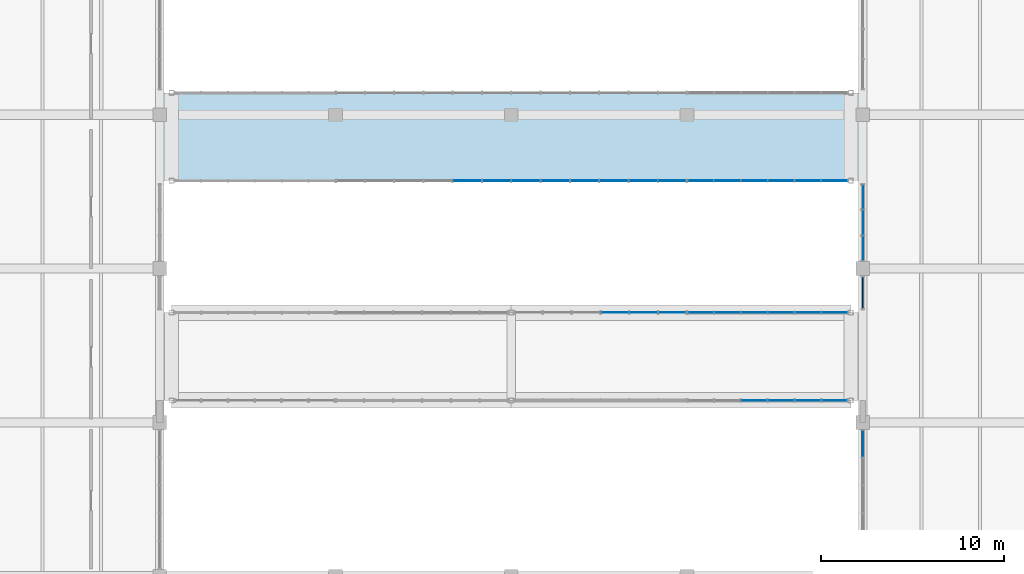
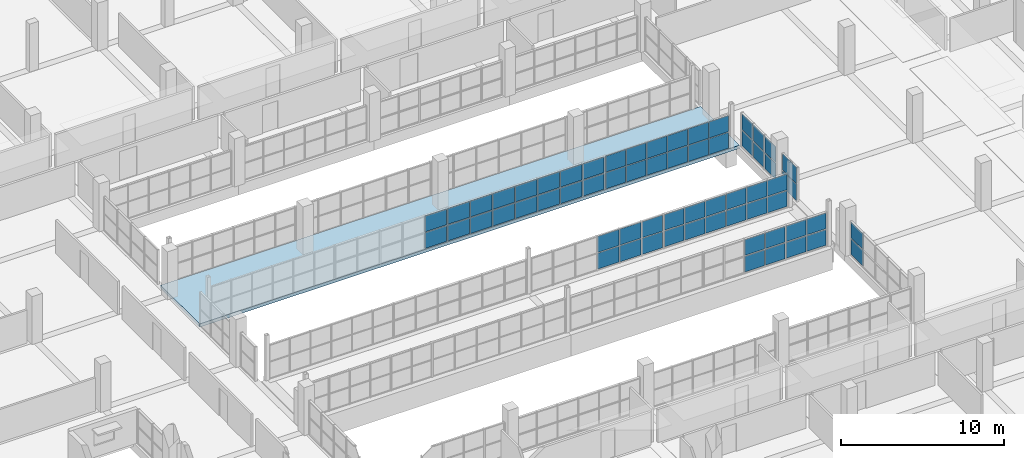
# One storey, part 102 of 147: 64 plates, 1 slab, 8 elements without a shape of their own.
"""IFC4 building model written with IfcOpenShell, lengths in metres."""

from ifc_helpers import new_model, si_unit, direction, frame, origin, origin_2d, place, context, subcontext, project, spatial, polyline, rectangle, outline, extrude, material, layer, layer_set, type_object, element, aggregate, save


model = new_model("IFC4")

# Units and contexts
model_context = context("Model", 3, precision=1e-05, world=origin(), true_north=direction((0.0, 1.0)))
body_context = subcontext(model_context, "Body", "Model", "MODEL_VIEW")
ifc_project = project(units=[si_unit("LENGTHUNIT", "METRE"), si_unit("AREAUNIT", "SQUARE_METRE"), si_unit("VOLUMEUNIT", "CUBIC_METRE"), si_unit("PLANEANGLEUNIT", "RADIAN"), si_unit("MASSUNIT", "GRAM", prefix="KILO")], contexts=[model_context])

# Site, building, storey
site_placement = place(None, origin())
site = spatial("IfcSite", under=ifc_project, at=site_placement, CompositionType="ELEMENT")
building_placement = place(site_placement, origin())
building = spatial("IfcBuilding", under=site, at=building_placement, Name="Oolite Switchyard Hospital", CompositionType="ELEMENT")
storey_placement = place(building_placement, frame((0.0, 0.0, 9.89990234375)))
storey = spatial("IfcBuildingStorey", under=building, at=storey_placement, Name="L02", CompositionType="ELEMENT", Elevation=9.89990234375)

# Curtain wall, plates
ifc_material_1 = material(Name="Thermally broken aluminum frame with laminated impact glazing", Category="aluminium")
curtain_wall_type_1 = type_object("IfcCurtainWallType", Name="CW-BRG-96X38", PredefinedType="USERDEFINED", material=ifc_material_1)
curtain_wall_1_placement = place(storey_placement, origin())
curtain_wall_1 = element("IfcCurtainWall", 1, at=curtain_wall_1_placement, inside=storey, type_object=curtain_wall_type_1, Name="L02 Unitised Curtain Wall 308", ObjectType="UNITISED", PredefinedType="USERDEFINED")
ifc_material_2 = material(Name="Insulated fluoropolymer-coated aluminum spandrel panel", Category="aluminium")
ifc_layer_1 = layer(ifc_material_2, 0.070068359375)
ifc_layer_set_1 = layer_set([ifc_layer_1], Name="CW-PNL-SPN70")
plate_type_1 = type_object("IfcPlateType", Name="CW-PNL-SPN70", PredefinedType="CURTAIN_PANEL", material=ifc_layer_set_1)
plate_1_placement = place(storey_placement, frame((182.39990234375, 40.68505859375, 0.06005859375), z_axis=(0.0, 0.0, 1.0), x_axis=(0.0, 1.0, 0.0)))
plate_1 = element("IfcPlate", 2, at=plate_1_placement, type_object=plate_type_1, Name="CW-12 panel 1.1", PredefinedType="CURTAIN_PANEL", context=body_context, shape_type="SweptSolid", body=[
    extrude(rectangle(XDim=1.7099609375, YDim=0.070068359375, at=origin_2d()), origin(), (0.0, 0.0, 1.0), 1.195068359375),
])
plate_2_placement = place(storey_placement, frame((182.39990234375, 40.68505859375, 1.31494140625), z_axis=(0.0, 0.0, 1.0), x_axis=(0.0, 1.0, 0.0)))
plate_2 = element("IfcPlate", 3, at=plate_2_placement, type_object=plate_type_1, Name="CW-12 panel 1.2", PredefinedType="CURTAIN_PANEL", context=body_context, shape_type="SweptSolid", body=[
    extrude(rectangle(XDim=1.7099609375, YDim=0.070068359375, at=origin_2d()), origin(), (0.0, 0.0, 1.0), 1.195068359375),
])
aggregate(curtain_wall_1, [plate_1, plate_2])

curtain_wall_2_placement = place(storey_placement, origin())
curtain_wall_2 = element("IfcCurtainWall", 4, at=curtain_wall_2_placement, inside=storey, type_object=curtain_wall_type_1, Name="L02 Unitised Curtain Wall 309", ObjectType="UNITISED", PredefinedType="USERDEFINED")
ifc_material_3 = material(Name="Laminated hurricane-impact insulated glazing unit", Category="glass")
ifc_layer_2 = layer(ifc_material_3, 0.028076171875)
ifc_layer_set_2 = layer_set([ifc_layer_2], Name="CW-PNL-VIS28")
plate_type_2 = type_object("IfcPlateType", Name="CW-PNL-VIS28", PredefinedType="CURTAIN_PANEL", material=ifc_layer_set_2)
plate_3_placement = place(storey_placement, frame((182.39990234375, 43.1171875, 0.0751953125), z_axis=(0.0, 0.0, 1.0), x_axis=(0.0, 1.0, 0.0)))
plate_3 = element("IfcPlate", 5, at=plate_3_placement, type_object=plate_type_2, Name="CW-12 panel 1.1", PredefinedType="CURTAIN_PANEL", context=body_context, shape_type="SweptSolid", body=[
    extrude(rectangle(XDim=1.30419921875, YDim=0.028076171875, at=origin_2d()), origin(), (0.0, 0.0, 1.0), 1.172607421875),
])
plate_4_placement = place(storey_placement, frame((182.39990234375, 43.1171875, 1.32275390625), z_axis=(0.0, 0.0, 1.0), x_axis=(0.0, 1.0, 0.0)))
plate_4 = element("IfcPlate", 6, at=plate_4_placement, type_object=plate_type_2, Name="CW-12 panel 1.2", PredefinedType="CURTAIN_PANEL", context=body_context, shape_type="SweptSolid", body=[
    extrude(rectangle(XDim=1.30419921875, YDim=0.028076171875, at=origin_2d()), origin(), (0.0, 0.0, 1.0), 1.172607421875),
])
plate_5_placement = place(storey_placement, frame((182.39990234375, 44.514892578125, 0.0751953125), z_axis=(0.0, 0.0, 1.0), x_axis=(0.0, 1.0, 0.0)))
plate_5 = element("IfcPlate", 7, at=plate_5_placement, type_object=plate_type_2, Name="CW-12 panel 2.1", PredefinedType="CURTAIN_PANEL", context=body_context, shape_type="SweptSolid", body=[
    extrude(rectangle(XDim=1.341552734375, YDim=0.028076171875, at=origin_2d()), origin(), (0.0, 0.0, 1.0), 1.172607421875),
])
plate_6_placement = place(storey_placement, frame((182.39990234375, 44.514892578125, 1.32275390625), z_axis=(0.0, 0.0, 1.0), x_axis=(0.0, 1.0, 0.0)))
plate_6 = element("IfcPlate", 8, at=plate_6_placement, type_object=plate_type_2, Name="CW-12 panel 2.2", PredefinedType="CURTAIN_PANEL", context=body_context, shape_type="SweptSolid", body=[
    extrude(rectangle(XDim=1.341552734375, YDim=0.028076171875, at=origin_2d()), origin(), (0.0, 0.0, 1.0), 1.172607421875),
])
plate_7_placement = place(storey_placement, frame((182.39990234375, 45.912841796875, 0.0751953125), z_axis=(0.0, 0.0, 1.0), x_axis=(0.0, 1.0, 0.0)))
plate_7 = element("IfcPlate", 9, at=plate_7_placement, type_object=plate_type_2, Name="CW-12 panel 3.1", PredefinedType="CURTAIN_PANEL", context=body_context, shape_type="SweptSolid", body=[
    extrude(rectangle(XDim=1.30419921875, YDim=0.028076171875, at=origin_2d()), origin(), (0.0, 0.0, 1.0), 1.172607421875),
])
plate_8_placement = place(storey_placement, frame((182.39990234375, 45.912841796875, 1.32275390625), z_axis=(0.0, 0.0, 1.0), x_axis=(0.0, 1.0, 0.0)))
plate_8 = element("IfcPlate", 10, at=plate_8_placement, type_object=plate_type_2, Name="CW-12 panel 3.2", PredefinedType="CURTAIN_PANEL", context=body_context, shape_type="SweptSolid", body=[
    extrude(rectangle(XDim=1.30419921875, YDim=0.028076171875, at=origin_2d()), origin(), (0.0, 0.0, 1.0), 1.172607421875),
])
aggregate(curtain_wall_2, [plate_3, plate_4, plate_5, plate_6, plate_7, plate_8])

curtain_wall_3_placement = place(storey_placement, origin())
curtain_wall_3 = element("IfcCurtainWall", 11, at=curtain_wall_3_placement, inside=storey, type_object=curtain_wall_type_1, Name="L02 Unitised Curtain Wall 231", ObjectType="UNITISED", PredefinedType="USERDEFINED")
ifc_layer_3 = layer(ifc_material_3, 0.031982421875)
ifc_layer_set_3 = layer_set([ifc_layer_3], Name="CW-PNL-VIS32")
plate_type_3 = type_object("IfcPlateType", Name="CW-PNL-VIS32", PredefinedType="CURTAIN_PANEL", material=ifc_layer_set_3)
plate_9_placement = place(storey_placement, frame((180.855224609375, 34.800048828125, 0.0751953125), z_axis=(0.0, 0.0, 1.0), x_axis=(-1.0, 0.0, 0.0)))
plate_9 = element("IfcPlate", 12, at=plate_9_placement, type_object=plate_type_3, Name="CW-12 panel 1.1", PredefinedType="CURTAIN_PANEL", context=body_context, shape_type="SweptSolid", body=[
    extrude(rectangle(XDim=1.35546875, YDim=0.031982421875, at=origin_2d()), origin(), (0.0, 0.0, 1.0), 1.172607421875),
])
plate_10_placement = place(storey_placement, frame((180.855224609375, 34.800048828125, 1.32275390625), z_axis=(0.0, 0.0, 1.0), x_axis=(-1.0, 0.0, 0.0)))
plate_10 = element("IfcPlate", 13, at=plate_10_placement, type_object=plate_type_3, Name="CW-12 panel 1.2", PredefinedType="CURTAIN_PANEL", context=body_context, shape_type="SweptSolid", body=[
    extrude(rectangle(XDim=1.35546875, YDim=0.031982421875, at=origin_2d()), origin(), (0.0, 0.0, 1.0), 1.172607421875),
])
plate_11_placement = place(storey_placement, frame((179.406005859375, 34.800048828125, 0.0751953125), z_axis=(0.0, 0.0, 1.0), x_axis=(-1.0, 0.0, 0.0)))
plate_11 = element("IfcPlate", 14, at=plate_11_placement, type_object=plate_type_3, Name="CW-12 panel 2.1", PredefinedType="CURTAIN_PANEL", context=body_context, shape_type="SweptSolid", body=[
    extrude(rectangle(XDim=1.39306640625, YDim=0.031982421875, at=origin_2d()), origin(), (0.0, 0.0, 1.0), 1.172607421875),
])
plate_12_placement = place(storey_placement, frame((179.406005859375, 34.800048828125, 1.32275390625), z_axis=(0.0, 0.0, 1.0), x_axis=(-1.0, 0.0, 0.0)))
plate_12 = element("IfcPlate", 15, at=plate_12_placement, type_object=plate_type_3, Name="CW-12 panel 2.2", PredefinedType="CURTAIN_PANEL", context=body_context, shape_type="SweptSolid", body=[
    extrude(rectangle(XDim=1.39306640625, YDim=0.031982421875, at=origin_2d()), origin(), (0.0, 0.0, 1.0), 1.172607421875),
])
plate_13_placement = place(storey_placement, frame((177.93798828125, 34.800048828125, 0.0751953125), z_axis=(0.0, 0.0, 1.0), x_axis=(-1.0, 0.0, 0.0)))
plate_13 = element("IfcPlate", 16, at=plate_13_placement, type_object=plate_type_3, Name="CW-12 panel 3.1", PredefinedType="CURTAIN_PANEL", context=body_context, shape_type="SweptSolid", body=[
    extrude(rectangle(XDim=1.39306640625, YDim=0.031982421875, at=origin_2d()), origin(), (0.0, 0.0, 1.0), 1.172607421875),
])
plate_14_placement = place(storey_placement, frame((177.93798828125, 34.800048828125, 1.32275390625), z_axis=(0.0, 0.0, 1.0), x_axis=(-1.0, 0.0, 0.0)))
plate_14 = element("IfcPlate", 17, at=plate_14_placement, type_object=plate_type_3, Name="CW-12 panel 3.2", PredefinedType="CURTAIN_PANEL", context=body_context, shape_type="SweptSolid", body=[
    extrude(rectangle(XDim=1.39306640625, YDim=0.031982421875, at=origin_2d()), origin(), (0.0, 0.0, 1.0), 1.172607421875),
])
plate_15_placement = place(storey_placement, frame((176.469970703125, 34.800048828125, 0.0751953125), z_axis=(0.0, 0.0, 1.0), x_axis=(-1.0, 0.0, 0.0)))
plate_15 = element("IfcPlate", 18, at=plate_15_placement, type_object=plate_type_3, Name="CW-12 panel 4.1", PredefinedType="CURTAIN_PANEL", context=body_context, shape_type="SweptSolid", body=[
    extrude(rectangle(XDim=1.39306640625, YDim=0.031982421875, at=origin_2d()), origin(), (0.0, 0.0, 1.0), 1.172607421875),
])
plate_16_placement = place(storey_placement, frame((176.469970703125, 34.800048828125, 1.32275390625), z_axis=(0.0, 0.0, 1.0), x_axis=(-1.0, 0.0, 0.0)))
plate_16 = element("IfcPlate", 19, at=plate_16_placement, type_object=plate_type_3, Name="CW-12 panel 4.2", PredefinedType="CURTAIN_PANEL", context=body_context, shape_type="SweptSolid", body=[
    extrude(rectangle(XDim=1.39306640625, YDim=0.031982421875, at=origin_2d()), origin(), (0.0, 0.0, 1.0), 1.172607421875),
])
aggregate(curtain_wall_3, [plate_9, plate_10, plate_11, plate_12, plate_13, plate_14, plate_15, plate_16])

curtain_wall_4_placement = place(storey_placement, origin())
curtain_wall_4 = element("IfcCurtainWall", 20, at=curtain_wall_4_placement, inside=storey, type_object=curtain_wall_type_1, Name="L02 Unitised Curtain Wall 234", ObjectType="UNITISED", PredefinedType="USERDEFINED")
plate_17_placement = place(storey_placement, frame((168.859130859375, 39.60009765625, 0.06005859375), z_axis=(0.0, 0.0, 1.0), x_axis=(1.0, 0.0, 0.0)))
plate_17 = element("IfcPlate", 21, at=plate_17_placement, type_object=plate_type_3, Name="CW-12 panel 4.1", PredefinedType="CURTAIN_PANEL", context=body_context, shape_type="SweptSolid", body=[
    extrude(rectangle(XDim=1.501220703125, YDim=0.031982421875, at=origin_2d()), origin(), (0.0, 0.0, 1.0), 1.195068359375),
])
plate_18_placement = place(storey_placement, frame((168.859130859375, 39.60009765625, 1.31494140625), z_axis=(0.0, 0.0, 1.0), x_axis=(1.0, 0.0, 0.0)))
plate_18 = element("IfcPlate", 22, at=plate_18_placement, type_object=plate_type_3, Name="CW-12 panel 4.2", PredefinedType="CURTAIN_PANEL", context=body_context, shape_type="SweptSolid", body=[
    extrude(rectangle(XDim=1.501220703125, YDim=0.031982421875, at=origin_2d()), origin(), (0.0, 0.0, 1.0), 1.195068359375),
])
plate_19_placement = place(storey_placement, frame((170.435546875, 39.60009765625, 0.06005859375), z_axis=(0.0, 0.0, 1.0), x_axis=(1.0, 0.0, 0.0)))
plate_19 = element("IfcPlate", 23, at=plate_19_placement, type_object=plate_type_3, Name="CW-12 panel 5.1", PredefinedType="CURTAIN_PANEL", context=body_context, shape_type="SweptSolid", body=[
    extrude(rectangle(XDim=1.501220703125, YDim=0.031982421875, at=origin_2d()), origin(), (0.0, 0.0, 1.0), 1.195068359375),
])
plate_20_placement = place(storey_placement, frame((170.435546875, 39.60009765625, 1.31494140625), z_axis=(0.0, 0.0, 1.0), x_axis=(1.0, 0.0, 0.0)))
plate_20 = element("IfcPlate", 24, at=plate_20_placement, type_object=plate_type_3, Name="CW-12 panel 5.2", PredefinedType="CURTAIN_PANEL", context=body_context, shape_type="SweptSolid", body=[
    extrude(rectangle(XDim=1.501220703125, YDim=0.031982421875, at=origin_2d()), origin(), (0.0, 0.0, 1.0), 1.195068359375),
])
plate_21_placement = place(storey_placement, frame((171.9931640625, 39.60009765625, 0.06005859375), z_axis=(0.0, 0.0, 1.0), x_axis=(1.0, 0.0, 0.0)))
plate_21 = element("IfcPlate", 25, at=plate_21_placement, type_object=plate_type_3, Name="CW-12 panel 6.1", PredefinedType="CURTAIN_PANEL", context=body_context, shape_type="SweptSolid", body=[
    extrude(rectangle(XDim=1.4638671875, YDim=0.031982421875, at=origin_2d()), origin(), (0.0, 0.0, 1.0), 1.195068359375),
])
plate_22_placement = place(storey_placement, frame((171.9931640625, 39.60009765625, 1.31494140625), z_axis=(0.0, 0.0, 1.0), x_axis=(1.0, 0.0, 0.0)))
plate_22 = element("IfcPlate", 26, at=plate_22_placement, type_object=plate_type_3, Name="CW-12 panel 6.2", PredefinedType="CURTAIN_PANEL", context=body_context, shape_type="SweptSolid", body=[
    extrude(rectangle(XDim=1.4638671875, YDim=0.031982421875, at=origin_2d()), origin(), (0.0, 0.0, 1.0), 1.195068359375),
])
aggregate(curtain_wall_4, [plate_17, plate_18, plate_19, plate_20, plate_21, plate_22])

curtain_wall_5_placement = place(storey_placement, origin())
curtain_wall_5 = element("IfcCurtainWall", 27, at=curtain_wall_5_placement, inside=storey, type_object=curtain_wall_type_1, Name="L02 Unitised Curtain Wall 237", ObjectType="UNITISED", PredefinedType="USERDEFINED")
plate_23_placement = place(storey_placement, frame((171.981201171875, 46.800048828125, 0.0751953125), z_axis=(0.0, 0.0, 1.0), x_axis=(-1.0, 0.0, 0.0)))
plate_23 = element("IfcPlate", 28, at=plate_23_placement, type_object=plate_type_3, Name="CW-12 panel 1.1", PredefinedType="CURTAIN_PANEL", context=body_context, shape_type="SweptSolid", body=[
    extrude(rectangle(XDim=1.487548828125, YDim=0.031982421875, at=origin_2d()), origin(), (0.0, 0.0, 1.0), 1.172607421875),
])
plate_24_placement = place(storey_placement, frame((171.981201171875, 46.800048828125, 1.32275390625), z_axis=(0.0, 0.0, 1.0), x_axis=(-1.0, 0.0, 0.0)))
plate_24 = element("IfcPlate", 29, at=plate_24_placement, type_object=plate_type_3, Name="CW-12 panel 1.2", PredefinedType="CURTAIN_PANEL", context=body_context, shape_type="SweptSolid", body=[
    extrude(rectangle(XDim=1.487548828125, YDim=0.031982421875, at=origin_2d()), origin(), (0.0, 0.0, 1.0), 1.172607421875),
])
plate_25_placement = place(storey_placement, frame((170.39990234375, 46.800048828125, 0.0751953125), z_axis=(0.0, 0.0, 1.0), x_axis=(-1.0, 0.0, 0.0)))
plate_25 = element("IfcPlate", 30, at=plate_25_placement, type_object=plate_type_3, Name="CW-12 panel 2.1", PredefinedType="CURTAIN_PANEL", context=body_context, shape_type="SweptSolid", body=[
    extrude(rectangle(XDim=1.52490234375, YDim=0.031982421875, at=origin_2d()), origin(), (0.0, 0.0, 1.0), 1.172607421875),
])
plate_26_placement = place(storey_placement, frame((170.39990234375, 46.800048828125, 1.32275390625), z_axis=(0.0, 0.0, 1.0), x_axis=(-1.0, 0.0, 0.0)))
plate_26 = element("IfcPlate", 31, at=plate_26_placement, type_object=plate_type_3, Name="CW-12 panel 2.2", PredefinedType="CURTAIN_PANEL", context=body_context, shape_type="SweptSolid", body=[
    extrude(rectangle(XDim=1.52490234375, YDim=0.031982421875, at=origin_2d()), origin(), (0.0, 0.0, 1.0), 1.172607421875),
])
plate_27_placement = place(storey_placement, frame((168.800048828125, 46.800048828125, 0.0751953125), z_axis=(0.0, 0.0, 1.0), x_axis=(-1.0, 0.0, 0.0)))
plate_27 = element("IfcPlate", 32, at=plate_27_placement, type_object=plate_type_3, Name="CW-12 panel 3.1", PredefinedType="CURTAIN_PANEL", context=body_context, shape_type="SweptSolid", body=[
    extrude(rectangle(XDim=1.52490234375, YDim=0.031982421875, at=origin_2d()), origin(), (0.0, 0.0, 1.0), 1.172607421875),
])
plate_28_placement = place(storey_placement, frame((168.800048828125, 46.800048828125, 1.32275390625), z_axis=(0.0, 0.0, 1.0), x_axis=(-1.0, 0.0, 0.0)))
plate_28 = element("IfcPlate", 33, at=plate_28_placement, type_object=plate_type_3, Name="CW-12 panel 3.2", PredefinedType="CURTAIN_PANEL", context=body_context, shape_type="SweptSolid", body=[
    extrude(rectangle(XDim=1.52490234375, YDim=0.031982421875, at=origin_2d()), origin(), (0.0, 0.0, 1.0), 1.172607421875),
])
plate_29_placement = place(storey_placement, frame((167.199951171875, 46.800048828125, 0.0751953125), z_axis=(0.0, 0.0, 1.0), x_axis=(-1.0, 0.0, 0.0)))
plate_29 = element("IfcPlate", 34, at=plate_29_placement, type_object=plate_type_3, Name="CW-12 panel 4.1", PredefinedType="CURTAIN_PANEL", context=body_context, shape_type="SweptSolid", body=[
    extrude(rectangle(XDim=1.52490234375, YDim=0.031982421875, at=origin_2d()), origin(), (0.0, 0.0, 1.0), 1.172607421875),
])
plate_30_placement = place(storey_placement, frame((167.199951171875, 46.800048828125, 1.32275390625), z_axis=(0.0, 0.0, 1.0), x_axis=(-1.0, 0.0, 0.0)))
plate_30 = element("IfcPlate", 35, at=plate_30_placement, type_object=plate_type_3, Name="CW-12 panel 4.2", PredefinedType="CURTAIN_PANEL", context=body_context, shape_type="SweptSolid", body=[
    extrude(rectangle(XDim=1.52490234375, YDim=0.031982421875, at=origin_2d()), origin(), (0.0, 0.0, 1.0), 1.172607421875),
])
plate_31_placement = place(storey_placement, frame((165.60009765625, 46.800048828125, 0.0751953125), z_axis=(0.0, 0.0, 1.0), x_axis=(-1.0, 0.0, 0.0)))
plate_31 = element("IfcPlate", 36, at=plate_31_placement, type_object=plate_type_3, Name="CW-12 panel 5.1", PredefinedType="CURTAIN_PANEL", context=body_context, shape_type="SweptSolid", body=[
    extrude(rectangle(XDim=1.52490234375, YDim=0.031982421875, at=origin_2d()), origin(), (0.0, 0.0, 1.0), 1.172607421875),
])
plate_32_placement = place(storey_placement, frame((165.60009765625, 46.800048828125, 1.32275390625), z_axis=(0.0, 0.0, 1.0), x_axis=(-1.0, 0.0, 0.0)))
plate_32 = element("IfcPlate", 37, at=plate_32_placement, type_object=plate_type_3, Name="CW-12 panel 5.2", PredefinedType="CURTAIN_PANEL", context=body_context, shape_type="SweptSolid", body=[
    extrude(rectangle(XDim=1.52490234375, YDim=0.031982421875, at=origin_2d()), origin(), (0.0, 0.0, 1.0), 1.172607421875),
])
plate_33_placement = place(storey_placement, frame((164.0, 46.800048828125, 0.0751953125), z_axis=(0.0, 0.0, 1.0), x_axis=(-1.0, 0.0, 0.0)))
plate_33 = element("IfcPlate", 38, at=plate_33_placement, type_object=plate_type_3, Name="CW-12 panel 6.1", PredefinedType="CURTAIN_PANEL", context=body_context, shape_type="SweptSolid", body=[
    extrude(rectangle(XDim=1.52490234375, YDim=0.031982421875, at=origin_2d()), origin(), (0.0, 0.0, 1.0), 1.172607421875),
])
plate_34_placement = place(storey_placement, frame((164.0, 46.800048828125, 1.32275390625), z_axis=(0.0, 0.0, 1.0), x_axis=(-1.0, 0.0, 0.0)))
plate_34 = element("IfcPlate", 39, at=plate_34_placement, type_object=plate_type_3, Name="CW-12 panel 6.2", PredefinedType="CURTAIN_PANEL", context=body_context, shape_type="SweptSolid", body=[
    extrude(rectangle(XDim=1.52490234375, YDim=0.031982421875, at=origin_2d()), origin(), (0.0, 0.0, 1.0), 1.172607421875),
])
plate_35_placement = place(storey_placement, frame((162.39990234375, 46.800048828125, 0.0751953125), z_axis=(0.0, 0.0, 1.0), x_axis=(-1.0, 0.0, 0.0)))
plate_35 = element("IfcPlate", 40, at=plate_35_placement, type_object=plate_type_3, Name="CW-12 panel 7.1", PredefinedType="CURTAIN_PANEL", context=body_context, shape_type="SweptSolid", body=[
    extrude(rectangle(XDim=1.52490234375, YDim=0.031982421875, at=origin_2d()), origin(), (0.0, 0.0, 1.0), 1.172607421875),
])
plate_36_placement = place(storey_placement, frame((162.39990234375, 46.800048828125, 1.32275390625), z_axis=(0.0, 0.0, 1.0), x_axis=(-1.0, 0.0, 0.0)))
plate_36 = element("IfcPlate", 41, at=plate_36_placement, type_object=plate_type_3, Name="CW-12 panel 7.2", PredefinedType="CURTAIN_PANEL", context=body_context, shape_type="SweptSolid", body=[
    extrude(rectangle(XDim=1.52490234375, YDim=0.031982421875, at=origin_2d()), origin(), (0.0, 0.0, 1.0), 1.172607421875),
])
plate_37_placement = place(storey_placement, frame((160.800048828125, 46.800048828125, 0.0751953125), z_axis=(0.0, 0.0, 1.0), x_axis=(-1.0, 0.0, 0.0)))
plate_37 = element("IfcPlate", 42, at=plate_37_placement, type_object=plate_type_3, Name="CW-12 panel 8.1", PredefinedType="CURTAIN_PANEL", context=body_context, shape_type="SweptSolid", body=[
    extrude(rectangle(XDim=1.52490234375, YDim=0.031982421875, at=origin_2d()), origin(), (0.0, 0.0, 1.0), 1.172607421875),
])
plate_38_placement = place(storey_placement, frame((160.800048828125, 46.800048828125, 1.32275390625), z_axis=(0.0, 0.0, 1.0), x_axis=(-1.0, 0.0, 0.0)))
plate_38 = element("IfcPlate", 43, at=plate_38_placement, type_object=plate_type_3, Name="CW-12 panel 8.2", PredefinedType="CURTAIN_PANEL", context=body_context, shape_type="SweptSolid", body=[
    extrude(rectangle(XDim=1.52490234375, YDim=0.031982421875, at=origin_2d()), origin(), (0.0, 0.0, 1.0), 1.172607421875),
])
aggregate(curtain_wall_5, [plate_23, plate_24, plate_25, plate_26, plate_27, plate_28, plate_29, plate_30, plate_31, plate_32, plate_33, plate_34, plate_35, plate_36, plate_37, plate_38])

curtain_wall_type_2 = type_object("IfcCurtainWallType", Name="CW-UNIT-84X36", PredefinedType="USERDEFINED", material=ifc_material_1)
curtain_wall_6_placement = place(storey_placement, origin())
curtain_wall_6 = element("IfcCurtainWall", 44, at=curtain_wall_6_placement, inside=storey, type_object=curtain_wall_type_2, Name="L02 Unitised Curtain Wall 307", ObjectType="UNITISED", PredefinedType="USERDEFINED")
ifc_layer_4 = layer(ifc_material_3, 0.035888671875)
ifc_layer_set_4 = layer_set([ifc_layer_4], Name="CW-PNL-VIS36")
plate_type_4 = type_object("IfcPlateType", Name="CW-PNL-VIS36", PredefinedType="CURTAIN_PANEL", material=ifc_layer_set_4)
plate_39_placement = place(storey_placement, frame((182.39990234375, 32.43310546875, 0.0751953125), z_axis=(0.0, 0.0, 1.0), x_axis=(0.0, 1.0, 0.0)))
plate_39 = element("IfcPlate", 45, at=plate_39_placement, type_object=plate_type_4, Name="CW-08 panel 5.1", PredefinedType="CURTAIN_PANEL", context=body_context, shape_type="SweptSolid", body=[
    extrude(rectangle(XDim=1.43408203125, YDim=0.035888671875, at=origin_2d()), origin(), (0.0, 0.0, 1.0), 1.172607421875),
])
plate_40_placement = place(storey_placement, frame((182.39990234375, 32.43310546875, 1.32275390625), z_axis=(0.0, 0.0, 1.0), x_axis=(0.0, 1.0, 0.0)))
plate_40 = element("IfcPlate", 46, at=plate_40_placement, type_object=plate_type_4, Name="CW-08 panel 5.2", PredefinedType="CURTAIN_PANEL", context=body_context, shape_type="SweptSolid", body=[
    extrude(rectangle(XDim=1.43408203125, YDim=0.035888671875, at=origin_2d()), origin(), (0.0, 0.0, 1.0), 1.172607421875),
])
aggregate(curtain_wall_6, [plate_39, plate_40])

curtain_wall_7_placement = place(storey_placement, origin())
curtain_wall_7 = element("IfcCurtainWall", 47, at=curtain_wall_7_placement, inside=storey, type_object=curtain_wall_type_1, Name="L02 Unitised Curtain Wall 235", ObjectType="UNITISED", PredefinedType="USERDEFINED")
ifc_layer_5 = layer(ifc_material_3, 0.0419921875)
ifc_layer_set_5 = layer_set([ifc_layer_5], Name="CW-PNL-VIS42")
plate_type_5 = type_object("IfcPlateType", Name="CW-PNL-VIS42", PredefinedType="CURTAIN_PANEL", material=ifc_layer_set_5)
plate_41_placement = place(storey_placement, frame((173.549072265625, 39.60009765625, 0.0751953125), z_axis=(0.0, 0.0, 1.0), x_axis=(1.0, 0.0, 0.0)))
plate_41 = element("IfcPlate", 48, at=plate_41_placement, type_object=plate_type_5, Name="CW-12 panel 1.1", PredefinedType="CURTAIN_PANEL", context=body_context, shape_type="SweptSolid", body=[
    extrude(rectangle(XDim=1.3779296875, YDim=0.0419921875, at=origin_2d()), origin(), (0.0, 0.0, 1.0), 1.172607421875),
])
plate_42_placement = place(storey_placement, frame((173.549072265625, 39.60009765625, 1.32275390625), z_axis=(0.0, 0.0, 1.0), x_axis=(1.0, 0.0, 0.0)))
plate_42 = element("IfcPlate", 49, at=plate_42_placement, type_object=plate_type_5, Name="CW-12 panel 1.2", PredefinedType="CURTAIN_PANEL", context=body_context, shape_type="SweptSolid", body=[
    extrude(rectangle(XDim=1.3779296875, YDim=0.0419921875, at=origin_2d()), origin(), (0.0, 0.0, 1.0), 1.172607421875),
])
plate_43_placement = place(storey_placement, frame((175.001953125, 39.60009765625, 0.0751953125), z_axis=(0.0, 0.0, 1.0), x_axis=(1.0, 0.0, 0.0)))
plate_43 = element("IfcPlate", 50, at=plate_43_placement, type_object=plate_type_5, Name="CW-12 panel 2.1", PredefinedType="CURTAIN_PANEL", context=body_context, shape_type="SweptSolid", body=[
    extrude(rectangle(XDim=1.407958984375, YDim=0.0419921875, at=origin_2d()), origin(), (0.0, 0.0, 1.0), 1.172607421875),
])
plate_44_placement = place(storey_placement, frame((175.001953125, 39.60009765625, 1.32275390625), z_axis=(0.0, 0.0, 1.0), x_axis=(1.0, 0.0, 0.0)))
plate_44 = element("IfcPlate", 51, at=plate_44_placement, type_object=plate_type_5, Name="CW-12 panel 2.2", PredefinedType="CURTAIN_PANEL", context=body_context, shape_type="SweptSolid", body=[
    extrude(rectangle(XDim=1.407958984375, YDim=0.0419921875, at=origin_2d()), origin(), (0.0, 0.0, 1.0), 1.172607421875),
])
plate_45_placement = place(storey_placement, frame((176.469970703125, 39.60009765625, 0.0751953125), z_axis=(0.0, 0.0, 1.0), x_axis=(1.0, 0.0, 0.0)))
plate_45 = element("IfcPlate", 52, at=plate_45_placement, type_object=plate_type_5, Name="CW-12 panel 3.1", PredefinedType="CURTAIN_PANEL", context=body_context, shape_type="SweptSolid", body=[
    extrude(rectangle(XDim=1.407958984375, YDim=0.0419921875, at=origin_2d()), origin(), (0.0, 0.0, 1.0), 1.172607421875),
])
plate_46_placement = place(storey_placement, frame((176.469970703125, 39.60009765625, 1.32275390625), z_axis=(0.0, 0.0, 1.0), x_axis=(1.0, 0.0, 0.0)))
plate_46 = element("IfcPlate", 53, at=plate_46_placement, type_object=plate_type_5, Name="CW-12 panel 3.2", PredefinedType="CURTAIN_PANEL", context=body_context, shape_type="SweptSolid", body=[
    extrude(rectangle(XDim=1.407958984375, YDim=0.0419921875, at=origin_2d()), origin(), (0.0, 0.0, 1.0), 1.172607421875),
])
plate_47_placement = place(storey_placement, frame((177.93798828125, 39.60009765625, 0.0751953125), z_axis=(0.0, 0.0, 1.0), x_axis=(1.0, 0.0, 0.0)))
plate_47 = element("IfcPlate", 54, at=plate_47_placement, type_object=plate_type_5, Name="CW-12 panel 4.1", PredefinedType="CURTAIN_PANEL", context=body_context, shape_type="SweptSolid", body=[
    extrude(rectangle(XDim=1.407958984375, YDim=0.0419921875, at=origin_2d()), origin(), (0.0, 0.0, 1.0), 1.172607421875),
])
plate_48_placement = place(storey_placement, frame((177.93798828125, 39.60009765625, 1.32275390625), z_axis=(0.0, 0.0, 1.0), x_axis=(1.0, 0.0, 0.0)))
plate_48 = element("IfcPlate", 55, at=plate_48_placement, type_object=plate_type_5, Name="CW-12 panel 4.2", PredefinedType="CURTAIN_PANEL", context=body_context, shape_type="SweptSolid", body=[
    extrude(rectangle(XDim=1.407958984375, YDim=0.0419921875, at=origin_2d()), origin(), (0.0, 0.0, 1.0), 1.172607421875),
])
plate_49_placement = place(storey_placement, frame((179.406005859375, 39.60009765625, 0.0751953125), z_axis=(0.0, 0.0, 1.0), x_axis=(1.0, 0.0, 0.0)))
plate_49 = element("IfcPlate", 56, at=plate_49_placement, type_object=plate_type_5, Name="CW-12 panel 5.1", PredefinedType="CURTAIN_PANEL", context=body_context, shape_type="SweptSolid", body=[
    extrude(rectangle(XDim=1.407958984375, YDim=0.0419921875, at=origin_2d()), origin(), (0.0, 0.0, 1.0), 1.172607421875),
])
plate_50_placement = place(storey_placement, frame((179.406005859375, 39.60009765625, 1.32275390625), z_axis=(0.0, 0.0, 1.0), x_axis=(1.0, 0.0, 0.0)))
plate_50 = element("IfcPlate", 57, at=plate_50_placement, type_object=plate_type_5, Name="CW-12 panel 5.2", PredefinedType="CURTAIN_PANEL", context=body_context, shape_type="SweptSolid", body=[
    extrude(rectangle(XDim=1.407958984375, YDim=0.0419921875, at=origin_2d()), origin(), (0.0, 0.0, 1.0), 1.172607421875),
])
plate_51_placement = place(storey_placement, frame((180.85888671875, 39.60009765625, 0.0751953125), z_axis=(0.0, 0.0, 1.0), x_axis=(1.0, 0.0, 0.0)))
plate_51 = element("IfcPlate", 58, at=plate_51_placement, type_object=plate_type_5, Name="CW-12 panel 6.1", PredefinedType="CURTAIN_PANEL", context=body_context, shape_type="SweptSolid", body=[
    extrude(rectangle(XDim=1.3779296875, YDim=0.0419921875, at=origin_2d()), origin(), (0.0, 0.0, 1.0), 1.172607421875),
])
plate_52_placement = place(storey_placement, frame((180.85888671875, 39.60009765625, 1.32275390625), z_axis=(0.0, 0.0, 1.0), x_axis=(1.0, 0.0, 0.0)))
plate_52 = element("IfcPlate", 59, at=plate_52_placement, type_object=plate_type_5, Name="CW-12 panel 6.2", PredefinedType="CURTAIN_PANEL", context=body_context, shape_type="SweptSolid", body=[
    extrude(rectangle(XDim=1.3779296875, YDim=0.0419921875, at=origin_2d()), origin(), (0.0, 0.0, 1.0), 1.172607421875),
])
aggregate(curtain_wall_7, [plate_41, plate_42, plate_43, plate_44, plate_45, plate_46, plate_47, plate_48, plate_49, plate_50, plate_51, plate_52])

curtain_wall_8_placement = place(storey_placement, origin())
curtain_wall_8 = element("IfcCurtainWall", 60, at=curtain_wall_8_placement, inside=storey, type_object=curtain_wall_type_1, Name="L02 Unitised Curtain Wall 238", ObjectType="UNITISED", PredefinedType="USERDEFINED")
plate_53_placement = place(storey_placement, frame((180.85888671875, 46.800048828125, 0.06005859375), z_axis=(0.0, 0.0, 1.0), x_axis=(-1.0, 0.0, 0.0)))
plate_53 = element("IfcPlate", 61, at=plate_53_placement, type_object=plate_type_5, Name="CW-12 panel 1.1", PredefinedType="CURTAIN_PANEL", context=body_context, shape_type="SweptSolid", body=[
    extrude(rectangle(XDim=1.3779296875, YDim=0.0419921875, at=origin_2d()), origin(), (0.0, 0.0, 1.0), 1.195068359375),
])
plate_54_placement = place(storey_placement, frame((180.85888671875, 46.800048828125, 1.31494140625), z_axis=(0.0, 0.0, 1.0), x_axis=(-1.0, 0.0, 0.0)))
plate_54 = element("IfcPlate", 62, at=plate_54_placement, type_object=plate_type_5, Name="CW-12 panel 1.2", PredefinedType="CURTAIN_PANEL", context=body_context, shape_type="SweptSolid", body=[
    extrude(rectangle(XDim=1.3779296875, YDim=0.0419921875, at=origin_2d()), origin(), (0.0, 0.0, 1.0), 1.195068359375),
])
plate_55_placement = place(storey_placement, frame((179.406005859375, 46.800048828125, 0.06005859375), z_axis=(0.0, 0.0, 1.0), x_axis=(-1.0, 0.0, 0.0)))
plate_55 = element("IfcPlate", 63, at=plate_55_placement, type_object=plate_type_5, Name="CW-12 panel 2.1", PredefinedType="CURTAIN_PANEL", context=body_context, shape_type="SweptSolid", body=[
    extrude(rectangle(XDim=1.407958984375, YDim=0.0419921875, at=origin_2d()), origin(), (0.0, 0.0, 1.0), 1.195068359375),
])
plate_56_placement = place(storey_placement, frame((179.406005859375, 46.800048828125, 1.31494140625), z_axis=(0.0, 0.0, 1.0), x_axis=(-1.0, 0.0, 0.0)))
plate_56 = element("IfcPlate", 64, at=plate_56_placement, type_object=plate_type_5, Name="CW-12 panel 2.2", PredefinedType="CURTAIN_PANEL", context=body_context, shape_type="SweptSolid", body=[
    extrude(rectangle(XDim=1.407958984375, YDim=0.0419921875, at=origin_2d()), origin(), (0.0, 0.0, 1.0), 1.195068359375),
])
plate_57_placement = place(storey_placement, frame((177.93798828125, 46.800048828125, 0.06005859375), z_axis=(0.0, 0.0, 1.0), x_axis=(-1.0, 0.0, 0.0)))
plate_57 = element("IfcPlate", 65, at=plate_57_placement, type_object=plate_type_5, Name="CW-12 panel 3.1", PredefinedType="CURTAIN_PANEL", context=body_context, shape_type="SweptSolid", body=[
    extrude(rectangle(XDim=1.407958984375, YDim=0.0419921875, at=origin_2d()), origin(), (0.0, 0.0, 1.0), 1.195068359375),
])
plate_58_placement = place(storey_placement, frame((177.93798828125, 46.800048828125, 1.31494140625), z_axis=(0.0, 0.0, 1.0), x_axis=(-1.0, 0.0, 0.0)))
plate_58 = element("IfcPlate", 66, at=plate_58_placement, type_object=plate_type_5, Name="CW-12 panel 3.2", PredefinedType="CURTAIN_PANEL", context=body_context, shape_type="SweptSolid", body=[
    extrude(rectangle(XDim=1.407958984375, YDim=0.0419921875, at=origin_2d()), origin(), (0.0, 0.0, 1.0), 1.195068359375),
])
plate_59_placement = place(storey_placement, frame((176.469970703125, 46.800048828125, 0.06005859375), z_axis=(0.0, 0.0, 1.0), x_axis=(-1.0, 0.0, 0.0)))
plate_59 = element("IfcPlate", 67, at=plate_59_placement, type_object=plate_type_5, Name="CW-12 panel 4.1", PredefinedType="CURTAIN_PANEL", context=body_context, shape_type="SweptSolid", body=[
    extrude(rectangle(XDim=1.407958984375, YDim=0.0419921875, at=origin_2d()), origin(), (0.0, 0.0, 1.0), 1.195068359375),
])
plate_60_placement = place(storey_placement, frame((176.469970703125, 46.800048828125, 1.31494140625), z_axis=(0.0, 0.0, 1.0), x_axis=(-1.0, 0.0, 0.0)))
plate_60 = element("IfcPlate", 68, at=plate_60_placement, type_object=plate_type_5, Name="CW-12 panel 4.2", PredefinedType="CURTAIN_PANEL", context=body_context, shape_type="SweptSolid", body=[
    extrude(rectangle(XDim=1.407958984375, YDim=0.0419921875, at=origin_2d()), origin(), (0.0, 0.0, 1.0), 1.195068359375),
])
plate_61_placement = place(storey_placement, frame((175.001953125, 46.800048828125, 0.06005859375), z_axis=(0.0, 0.0, 1.0), x_axis=(-1.0, 0.0, 0.0)))
plate_61 = element("IfcPlate", 69, at=plate_61_placement, type_object=plate_type_5, Name="CW-12 panel 5.1", PredefinedType="CURTAIN_PANEL", context=body_context, shape_type="SweptSolid", body=[
    extrude(rectangle(XDim=1.407958984375, YDim=0.0419921875, at=origin_2d()), origin(), (0.0, 0.0, 1.0), 1.195068359375),
])
plate_62_placement = place(storey_placement, frame((175.001953125, 46.800048828125, 1.31494140625), z_axis=(0.0, 0.0, 1.0), x_axis=(-1.0, 0.0, 0.0)))
plate_62 = element("IfcPlate", 70, at=plate_62_placement, type_object=plate_type_5, Name="CW-12 panel 5.2", PredefinedType="CURTAIN_PANEL", context=body_context, shape_type="SweptSolid", body=[
    extrude(rectangle(XDim=1.407958984375, YDim=0.0419921875, at=origin_2d()), origin(), (0.0, 0.0, 1.0), 1.195068359375),
])
plate_63_placement = place(storey_placement, frame((173.549072265625, 46.800048828125, 0.06005859375), z_axis=(0.0, 0.0, 1.0), x_axis=(-1.0, 0.0, 0.0)))
plate_63 = element("IfcPlate", 71, at=plate_63_placement, type_object=plate_type_5, Name="CW-12 panel 6.1", PredefinedType="CURTAIN_PANEL", context=body_context, shape_type="SweptSolid", body=[
    extrude(rectangle(XDim=1.3779296875, YDim=0.0419921875, at=origin_2d()), origin(), (0.0, 0.0, 1.0), 1.195068359375),
])
plate_64_placement = place(storey_placement, frame((173.549072265625, 46.800048828125, 1.31494140625), z_axis=(0.0, 0.0, 1.0), x_axis=(-1.0, 0.0, 0.0)))
plate_64 = element("IfcPlate", 72, at=plate_64_placement, type_object=plate_type_5, Name="CW-12 panel 6.2", PredefinedType="CURTAIN_PANEL", context=body_context, shape_type="SweptSolid", body=[
    extrude(rectangle(XDim=1.3779296875, YDim=0.0419921875, at=origin_2d()), origin(), (0.0, 0.0, 1.0), 1.195068359375),
])
aggregate(curtain_wall_8, [plate_53, plate_54, plate_55, plate_56, plate_57, plate_58, plate_59, plate_60, plate_61, plate_62, plate_63, plate_64])

# Slab
ifc_material_4 = material(Name="Concrete C40/50", Category="concrete")
ifc_layer_6 = layer(ifc_material_4, 0.239990234375)
ifc_layer_set_6 = layer_set([ifc_layer_6], Name="SLB-BRG-240")
slab_type = type_object("IfcSlabType", Name="SLB-BRG-240", PredefinedType="FLOOR", material=ifc_layer_set_6)
slab_placement = place(storey_placement, frame((0.0, 0.0, -0.239990234375)))
element("IfcSlab", 73, at=slab_placement, inside=storey, type_object=slab_type, Name="L02 V6 Slab V6B2", PredefinedType="FLOOR", context=body_context, shape_type="SweptSolid", body=[
    extrude(outline(polyline([(144.050048828125, 46.800048828125), (182.35009765625, 46.800048828125), (182.35009765625, 51.60009765625), (144.050048828125, 51.60009765625), (144.050048828125, 46.800048828125)])), origin(), (0.0, 0.0, 1.0), 0.239990234375),
])

save(model, "model.ifc")
